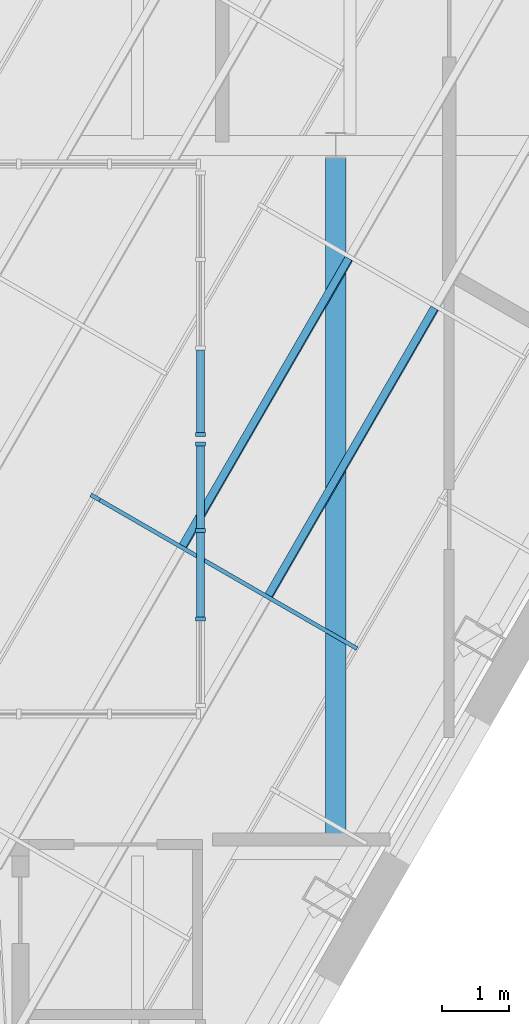
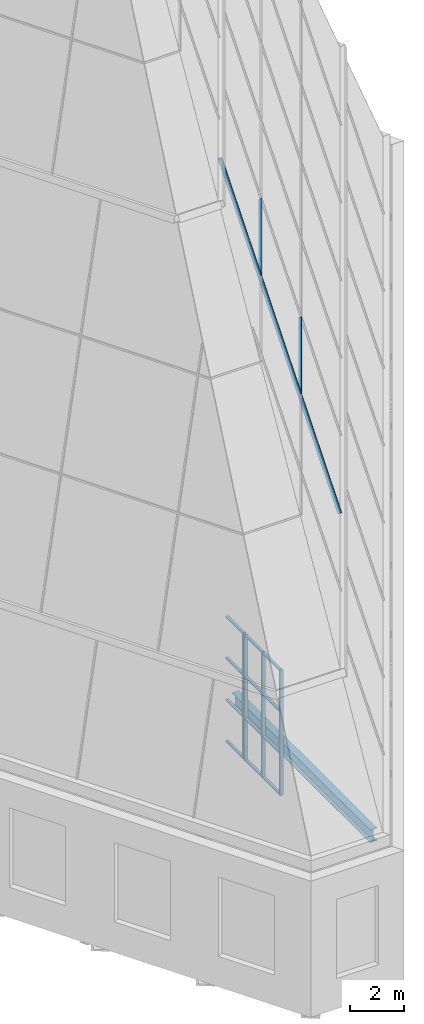
# One storey, part 8 of 36: 19 members, 1 beam, 3 elements without a shape of their own.
"""IFC4 building model written with IfcOpenShell, lengths in metres."""

from ifc_helpers import new_model, si_unit, direction, frame, origin, origin_2d, place, context, subcontext, project, spatial, rectangle, i_section, extrude, clip, halfspace, material, layer, layer_set, material_profile, profile_set, type_object, element, aggregate, save


model = new_model("IFC4")

# Units and contexts
model_context = context("Model", 3, precision=1e-05, world=origin(), true_north=direction((0.0, 1.0)))
body_context = subcontext(model_context, "Body", "Model", "MODEL_VIEW")
ifc_project = project(units=[si_unit("LENGTHUNIT", "METRE"), si_unit("AREAUNIT", "SQUARE_METRE"), si_unit("VOLUMEUNIT", "CUBIC_METRE"), si_unit("PLANEANGLEUNIT", "RADIAN"), si_unit("MASSUNIT", "GRAM", prefix="KILO")], contexts=[model_context])

# Site, building, storey
site_placement = place(None, origin())
site = spatial("IfcSite", under=ifc_project, at=site_placement, CompositionType="ELEMENT")
building_placement = place(site_placement, origin())
building = spatial("IfcBuilding", under=site, at=building_placement, Name="Njiva Tower", CompositionType="ELEMENT")
storey_placement = place(building_placement, frame((0.0, 0.0, 337.8)))
storey = spatial("IfcBuildingStorey", under=building, at=storey_placement, Name="L77", CompositionType="ELEMENT", Elevation=337.8)

# Beam
ifc_material_1 = material(Name="Steel S355 J2", Category="steel")
ifc_material_profile_1 = material_profile(ifc_material_1, i_section(OverallWidth=0.3, OverallDepth=0.59, WebThickness=0.013, FlangeThickness=0.025, at=origin_2d()), Name="HEA 600")
ifc_profile_set_1 = profile_set([ifc_material_profile_1], Name="Steel S355 J2")
beam_type = type_object("IfcBeamType", Name="B30 Long-span atrium trimmer beam HEA 600", PredefinedType="BEAM", material=ifc_profile_set_1)
beam_placement = place(storey_placement, frame((6.15, -13.65, -0.495), z_axis=(0.0, 1.0, 0.0), x_axis=(-1.0, 0.0, 0.0)))
element("IfcBeam", 1, at=beam_placement, inside=storey, type_object=beam_type, Name="Long-span atrium trimmer beam CR-B053", PredefinedType="BEAM", context=body_context, shape_type="SweptSolid", body=[
    extrude(i_section(OverallWidth=0.3, OverallDepth=0.59, WebThickness=0.013, FlangeThickness=0.025, at=origin_2d()), origin(), (0.0, 0.0, 1.0), 10.275),
])

# Curtain wall, members
ifc_material_2 = material(Name="Glazed curtain wall", Category="glass")
ifc_layer_1 = layer(ifc_material_2, 0.16)
ifc_layer_set_1 = layer_set([ifc_layer_1], Name="Glazed curtain wall")
curtain_wall_type_1 = type_object("IfcCurtainWallType", Name="CW2 Crown glazing, faceted point, long faces", PredefinedType="NOTDEFINED", material=ifc_layer_set_1)
curtain_wall_1_placement = place(storey_placement, origin())
curtain_wall_1 = element("IfcCurtainWall", 2, at=curtain_wall_1_placement, inside=storey, type_object=curtain_wall_type_1, Name="Crown glazing face SE tier 2", PredefinedType="NOTDEFINED")
ifc_material_3 = material(Name="Aluminium mullion", Category="aluminium")
ifc_material_profile_2 = material_profile(ifc_material_3, rectangle(XDim=0.16, YDim=0.06, at=origin_2d()), Name="RECT 160x60")
ifc_profile_set_2 = profile_set([ifc_material_profile_2], Name="Aluminium mullion")
member_type_1 = type_object("IfcMemberType", Name="CW2-M Crown glazing mullion 160x60", PredefinedType="MULLION", material=ifc_profile_set_2)
member_1_placement = place(storey_placement, frame((6.4025, -10.7001, 12.2446), z_axis=(-0.230733296083, 0.133215917854, 0.963854587222), x_axis=(0.834719445041, -0.481932685527, 0.26642885484)))
member_1 = element("IfcMember", 3, at=member_1_placement, type_object=member_type_1, Name="CW2-52 mullion 2", PredefinedType="MULLION", context=body_context, shape_type="Clipping", body=[
    clip(clip(extrude(rectangle(XDim=0.16, YDim=0.06, at=origin_2d()), origin(), (0.0, 0.0, 1.0), 16.715), halfspace(frame((0.08, 0.0, 0.0), z_axis=(-3.85188e-07, 1.720788e-06, -0.999999999998), x_axis=(0.0, -0.999999999999, -1.720788e-06)), False)), halfspace(frame((0.08, 0.0, 16.715), z_axis=(3.85188e-07, -1.720788e-06, 0.999999999998), x_axis=(0.0, 0.999999999999, 1.720788e-06)), False)),
])
ifc_material_4 = material(Name="Aluminium transom", Category="aluminium")
ifc_material_profile_3 = material_profile(ifc_material_4, rectangle(XDim=0.12, YDim=0.06, at=origin_2d()), Name="RECT 120x60")
ifc_profile_set_3 = profile_set([ifc_material_profile_3], Name="Aluminium transom")
member_type_2 = type_object("IfcMemberType", Name="CW2-T Crown glazing transom 120x60", PredefinedType="USERDEFINED", material=ifc_profile_set_3)
member_2_placement = place(storey_placement, frame((5.1486, -9.9415, 17.6202), z_axis=(0.500008699995, 0.866020380782, 0.0), x_axis=(0.834717805426, -0.4819357304, 0.266428483965)))
member_2 = element("IfcMember", 4, at=member_2_placement, type_object=member_type_2, Name="CW2-52 transom 3.1", ObjectType="TRANSOM", PredefinedType="USERDEFINED", context=body_context, shape_type="SweptSolid", body=[
    extrude(rectangle(XDim=0.12, YDim=0.06, at=origin_2d()), origin(), (0.0, 0.0, 1.0), 4.9695),
])
member_3_placement = place(storey_placement, frame((3.863, -9.1993, 22.9905), z_axis=(0.500008699995, 0.866020380782, 0.0), x_axis=(0.834717805426, -0.4819357304, 0.266428483965)))
member_3 = element("IfcMember", 5, at=member_3_placement, type_object=member_type_2, Name="CW2-52 transom 3.2", ObjectType="TRANSOM", PredefinedType="USERDEFINED", context=body_context, shape_type="SweptSolid", body=[
    extrude(rectangle(XDim=0.12, YDim=0.06, at=origin_2d()), origin(), (0.0, 0.0, 1.0), 4.9695),
])
aggregate(curtain_wall_1, [member_1, member_2, member_3])

ifc_layer_2 = layer(ifc_material_2, 0.2)
ifc_layer_set_2 = layer_set([ifc_layer_2], Name="Glazed curtain wall")
curtain_wall_type_2 = type_object("IfcCurtainWallType", Name="CW5 Atrium lantern glazing", PredefinedType="NOTDEFINED", material=ifc_layer_set_2)
curtain_wall_2_placement = place(storey_placement, origin())
curtain_wall_2 = element("IfcCurtainWall", 6, at=curtain_wall_2_placement, inside=storey, type_object=curtain_wall_type_2, Name="Atrium lantern east 1", PredefinedType="NOTDEFINED")
ifc_material_profile_4 = material_profile(ifc_material_3, rectangle(XDim=0.15, YDim=0.06, at=origin_2d()), Name="RECT 150x60")
ifc_profile_set_4 = profile_set([ifc_material_profile_4], Name="Aluminium mullion")
member_type_3 = type_object("IfcMemberType", Name="CW5-M Lantern mullion 150x60", PredefinedType="MULLION", material=ifc_profile_set_4)
member_4_placement = place(storey_placement, frame((4.12, -10.2933, 0.0), z_axis=(0.0, 0.0, 1.0), x_axis=(-1.0, 0.0, 0.0)))
member_4 = element("IfcMember", 7, at=member_4_placement, type_object=member_type_3, Name="CW5-7 mullion 2", PredefinedType="MULLION", context=body_context, shape_type="SweptSolid", body=[
    extrude(rectangle(XDim=0.15, YDim=0.06, at=origin_2d()), origin(), (0.0, 0.0, 1.0), 5.7),
])
member_5_placement = place(storey_placement, frame((4.12, -8.9667, 0.0), z_axis=(0.0, 0.0, 1.0), x_axis=(-1.0, 0.0, 0.0)))
member_5 = element("IfcMember", 8, at=member_5_placement, type_object=member_type_3, Name="CW5-7 mullion 3", PredefinedType="MULLION", context=body_context, shape_type="SweptSolid", body=[
    extrude(rectangle(XDim=0.15, YDim=0.06, at=origin_2d()), origin(), (0.0, 0.0, 1.0), 5.7),
])
member_6_placement = place(storey_placement, frame((4.12, -7.67, 0.0), z_axis=(0.0, 0.0, 1.0), x_axis=(-1.0, 0.0, 0.0)))
member_6 = element("IfcMember", 9, at=member_6_placement, type_object=member_type_3, Name="CW5-7 mullion 4", PredefinedType="MULLION", context=body_context, shape_type="SweptSolid", body=[
    extrude(rectangle(XDim=0.15, YDim=0.06, at=origin_2d()), origin(), (0.0, 0.0, 1.0), 5.7),
])

# Curtain wall, member
curtain_wall_3_placement = place(storey_placement, origin())
curtain_wall_3 = element("IfcCurtainWall", 10, at=curtain_wall_3_placement, inside=storey, type_object=curtain_wall_type_2, Name="Atrium lantern east 2", PredefinedType="NOTDEFINED")
member_7_placement = place(storey_placement, frame((4.12, -7.53, 0.0), z_axis=(0.0, 0.0, 1.0), x_axis=(-1.0, 0.0, 0.0)))
member_7 = element("IfcMember", 11, at=member_7_placement, type_object=member_type_3, Name="CW5-8 mullion 1", PredefinedType="MULLION", context=body_context, shape_type="SweptSolid", body=[
    extrude(rectangle(XDim=0.15, YDim=0.06, at=origin_2d()), origin(), (0.0, 0.0, 1.0), 5.7),
])

# Member
ifc_material_profile_5 = material_profile(ifc_material_4, rectangle(XDim=0.12, YDim=0.06, at=origin_2d()), Name="RECT 120x60")
ifc_profile_set_5 = profile_set([ifc_material_profile_5], Name="Aluminium transom")
member_type_4 = type_object("IfcMemberType", Name="CW5-T Lantern transom 120x60", PredefinedType="USERDEFINED", material=ifc_profile_set_5)
member_8_placement = place(storey_placement, frame((4.12, -10.2633, 0.03), z_axis=(0.0, 1.0, 0.0), x_axis=(-1.0, 0.0, 0.0)))
member_8 = element("IfcMember", 12, at=member_8_placement, type_object=member_type_4, Name="CW5-7 transom 2.1", ObjectType="TRANSOM", PredefinedType="USERDEFINED", context=body_context, shape_type="SweptSolid", body=[
    extrude(rectangle(XDim=0.12, YDim=0.06, at=origin_2d()), origin(), (0.0, 0.0, 1.0), 1.2666),
])

member_9_placement = place(storey_placement, frame((4.12, -10.2633, 1.9), z_axis=(0.0, 1.0, 0.0), x_axis=(-1.0, 0.0, 0.0)))
member_9 = element("IfcMember", 13, at=member_9_placement, type_object=member_type_4, Name="CW5-7 transom 2.2", ObjectType="TRANSOM", PredefinedType="USERDEFINED", context=body_context, shape_type="SweptSolid", body=[
    extrude(rectangle(XDim=0.12, YDim=0.06, at=origin_2d()), origin(), (0.0, 0.0, 1.0), 1.2666),
])

member_10_placement = place(storey_placement, frame((4.12, -10.2633, 3.8), z_axis=(0.0, 1.0, 0.0), x_axis=(-1.0, 0.0, 0.0)))
member_10 = element("IfcMember", 14, at=member_10_placement, type_object=member_type_4, Name="CW5-7 transom 2.3", ObjectType="TRANSOM", PredefinedType="USERDEFINED", context=body_context, shape_type="SweptSolid", body=[
    extrude(rectangle(XDim=0.12, YDim=0.06, at=origin_2d()), origin(), (0.0, 0.0, 1.0), 1.2666),
])

member_11_placement = place(storey_placement, frame((4.12, -10.2633, 5.67), z_axis=(0.0, 1.0, 0.0), x_axis=(-1.0, 0.0, 0.0)))
member_11 = element("IfcMember", 15, at=member_11_placement, type_object=member_type_4, Name="CW5-7 transom 2.4", ObjectType="TRANSOM", PredefinedType="USERDEFINED", context=body_context, shape_type="SweptSolid", body=[
    extrude(rectangle(XDim=0.12, YDim=0.06, at=origin_2d()), origin(), (0.0, 0.0, 1.0), 1.2666),
])

member_12_placement = place(storey_placement, frame((4.12, -8.9367, 0.03), z_axis=(0.0, 1.0, 0.0), x_axis=(-1.0, 0.0, 0.0)))
member_12 = element("IfcMember", 16, at=member_12_placement, type_object=member_type_4, Name="CW5-7 transom 3.1", ObjectType="TRANSOM", PredefinedType="USERDEFINED", context=body_context, shape_type="SweptSolid", body=[
    extrude(rectangle(XDim=0.12, YDim=0.06, at=origin_2d()), origin(), (0.0, 0.0, 1.0), 1.2367),
])

member_13_placement = place(storey_placement, frame((4.12, -8.9367, 1.9), z_axis=(0.0, 1.0, 0.0), x_axis=(-1.0, 0.0, 0.0)))
member_13 = element("IfcMember", 17, at=member_13_placement, type_object=member_type_4, Name="CW5-7 transom 3.2", ObjectType="TRANSOM", PredefinedType="USERDEFINED", context=body_context, shape_type="SweptSolid", body=[
    extrude(rectangle(XDim=0.12, YDim=0.06, at=origin_2d()), origin(), (0.0, 0.0, 1.0), 1.2367),
])

member_14_placement = place(storey_placement, frame((4.12, -8.9367, 3.8), z_axis=(0.0, 1.0, 0.0), x_axis=(-1.0, 0.0, 0.0)))
member_14 = element("IfcMember", 18, at=member_14_placement, type_object=member_type_4, Name="CW5-7 transom 3.3", ObjectType="TRANSOM", PredefinedType="USERDEFINED", context=body_context, shape_type="SweptSolid", body=[
    extrude(rectangle(XDim=0.12, YDim=0.06, at=origin_2d()), origin(), (0.0, 0.0, 1.0), 1.2367),
])

member_15_placement = place(storey_placement, frame((4.12, -8.9367, 5.67), z_axis=(0.0, 1.0, 0.0), x_axis=(-1.0, 0.0, 0.0)))
member_15 = element("IfcMember", 19, at=member_15_placement, type_object=member_type_4, Name="CW5-7 transom 3.4", ObjectType="TRANSOM", PredefinedType="USERDEFINED", context=body_context, shape_type="SweptSolid", body=[
    extrude(rectangle(XDim=0.12, YDim=0.06, at=origin_2d()), origin(), (0.0, 0.0, 1.0), 1.2367),
])

aggregate(curtain_wall_2, [member_4, member_5, member_6, member_8, member_9, member_10, member_11, member_12, member_13, member_14, member_15])

member_16_placement = place(storey_placement, frame((4.12, -7.5, 0.03), z_axis=(0.0, 1.0, 0.0), x_axis=(-1.0, 0.0, 0.0)))
member_16 = element("IfcMember", 20, at=member_16_placement, type_object=member_type_4, Name="CW5-8 transom 1.1", ObjectType="TRANSOM", PredefinedType="USERDEFINED", context=body_context, shape_type="SweptSolid", body=[
    extrude(rectangle(XDim=0.12, YDim=0.06, at=origin_2d()), origin(), (0.0, 0.0, 1.0), 1.2367),
])

member_17_placement = place(storey_placement, frame((4.12, -7.5, 1.9), z_axis=(0.0, 1.0, 0.0), x_axis=(-1.0, 0.0, 0.0)))
member_17 = element("IfcMember", 21, at=member_17_placement, type_object=member_type_4, Name="CW5-8 transom 1.2", ObjectType="TRANSOM", PredefinedType="USERDEFINED", context=body_context, shape_type="SweptSolid", body=[
    extrude(rectangle(XDim=0.12, YDim=0.06, at=origin_2d()), origin(), (0.0, 0.0, 1.0), 1.2367),
])

member_18_placement = place(storey_placement, frame((4.12, -7.5, 3.8), z_axis=(0.0, 1.0, 0.0), x_axis=(-1.0, 0.0, 0.0)))
member_18 = element("IfcMember", 22, at=member_18_placement, type_object=member_type_4, Name="CW5-8 transom 1.3", ObjectType="TRANSOM", PredefinedType="USERDEFINED", context=body_context, shape_type="SweptSolid", body=[
    extrude(rectangle(XDim=0.12, YDim=0.06, at=origin_2d()), origin(), (0.0, 0.0, 1.0), 1.2367),
])

member_19_placement = place(storey_placement, frame((4.12, -7.5, 5.67), z_axis=(0.0, 1.0, 0.0), x_axis=(-1.0, 0.0, 0.0)))
member_19 = element("IfcMember", 23, at=member_19_placement, type_object=member_type_4, Name="CW5-8 transom 1.4", ObjectType="TRANSOM", PredefinedType="USERDEFINED", context=body_context, shape_type="SweptSolid", body=[
    extrude(rectangle(XDim=0.12, YDim=0.06, at=origin_2d()), origin(), (0.0, 0.0, 1.0), 1.2367),
])

aggregate(curtain_wall_3, [member_7, member_16, member_17, member_18, member_19])

save(model, "model.ifc")
